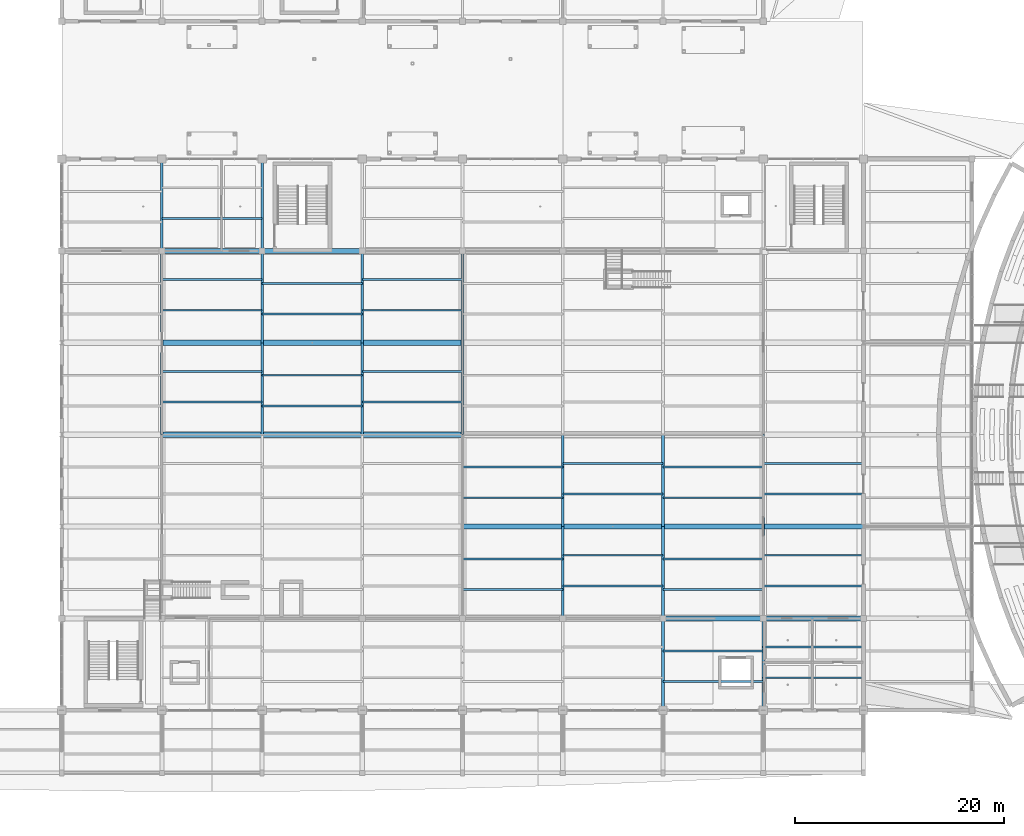
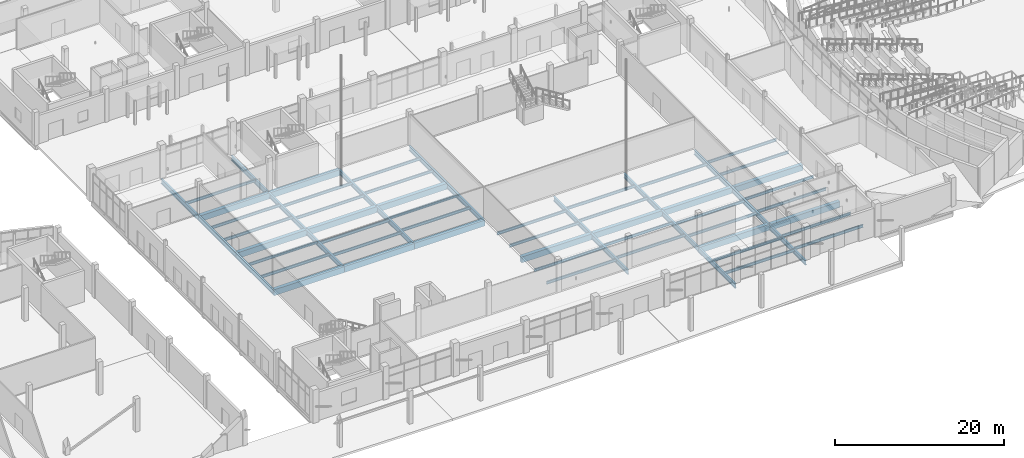
# One storey, part 46 of 116: 65 beams.
"""IFC4 building model written with IfcOpenShell, lengths in metres."""

from ifc_helpers import new_model, si_unit, direction, frame, origin, origin_2d, place, context, subcontext, project, spatial, rectangle, i_section, extrude, material, material_profile, profile_set, type_object, element, save


model = new_model("IFC4")

# Units and contexts
model_context = context("Model", 3, precision=1e-05, world=origin(), true_north=direction((0.0, 1.0)))
body_context = subcontext(model_context, "Body", "Model", "MODEL_VIEW")
ifc_project = project(units=[si_unit("LENGTHUNIT", "METRE"), si_unit("AREAUNIT", "SQUARE_METRE"), si_unit("VOLUMEUNIT", "CUBIC_METRE"), si_unit("PLANEANGLEUNIT", "RADIAN"), si_unit("MASSUNIT", "GRAM", prefix="KILO")], contexts=[model_context])

# Site, building, storey
site_placement = place(None, origin())
site = spatial("IfcSite", under=ifc_project, at=site_placement, CompositionType="ELEMENT")
building_placement = place(site_placement, origin())
building = spatial("IfcBuilding", under=site, at=building_placement, Name="Chalmorin Arch Market", CompositionType="ELEMENT")
storey_placement = place(building_placement, origin())
storey = spatial("IfcBuildingStorey", under=building, at=storey_placement, Name="L00", CompositionType="ELEMENT", Elevation=0.0)

# Beams
ifc_material_1 = material(Name="Concrete C40/50", Category="concrete")
ifc_material_profile_1 = material_profile(ifc_material_1, rectangle(XDim=0.5, YDim=0.85009765625, at=origin_2d()), Name="RC500X850")
ifc_profile_set_1 = profile_set([ifc_material_profile_1], Name="Concrete C40/50")
beam_type_1 = type_object("IfcBeamType", Name="PlinthConcreteGirder-500x850", PredefinedType="BEAM", material=ifc_profile_set_1)
for number, where, z_axis, x_axis, name in (
    (1, (57.60009765625, 32.39990234375, -0.70703125), (1.0, 0.0, 0.0), (0.0, 1.0, 0.0), "BG-RC1-0025"),
    (2, (57.60009765625, 41.199951171875, -0.70703125), (1.0, 0.0, 0.0), (0.0, 1.0, 0.0), "BG-RC1-0027"),
    (3, (57.60009765625, 50.0, -0.70703125), (1.0, 0.0, 0.0), (0.0, 1.0, 0.0), "BG-RC1-0029"),
):
    element("IfcBeam", number, at=place(storey_placement, frame(where, z_axis=z_axis, x_axis=x_axis)), inside=storey, type_object=beam_type_1, Name=name, PredefinedType="BEAM", context=body_context, shape_type="SweptSolid", body=[
        extrude(rectangle(XDim=0.5, YDim=0.85009765625, at=origin_2d()), origin(), (0.0, 0.0, 1.0), 9.599853515625),
    ])
for number, where, z_axis, x_axis, name in (
    (4, (67.199951171875, 32.39990234375, -0.70703125), (1.0, 0.0, 0.0), (0.0, 1.0, 0.0), "BG-RC1-0038"),
    (5, (67.199951171875, 41.199951171875, -0.70703125), (1.0, 0.0, 0.0), (0.0, 1.0, 0.0), "BG-RC1-0040"),
    (6, (67.199951171875, 50.0, -0.70703125), (1.0, 0.0, 0.0), (0.0, 1.0, 0.0), "BG-RC1-0042"),
):
    element("IfcBeam", number, at=place(storey_placement, frame(where, z_axis=z_axis, x_axis=x_axis)), inside=storey, type_object=beam_type_1, Name=name, PredefinedType="BEAM", context=body_context, shape_type="SweptSolid", body=[
        extrude(rectangle(XDim=0.5, YDim=0.85009765625, at=origin_2d()), origin(), (0.0, 0.0, 1.0), 9.60009765625),
    ])
for number, where, z_axis, x_axis, name in (
    (7, (76.800048828125, 32.39990234375, -0.70703125), (1.0, 0.0, 0.0), (0.0, 1.0, 0.0), "BG-RC1-0051"),
    (8, (76.800048828125, 41.199951171875, -0.70703125), (1.0, 0.0, 0.0), (0.0, 1.0, 0.0), "BG-RC1-0053"),
):
    element("IfcBeam", number, at=place(storey_placement, frame(where, z_axis=z_axis, x_axis=x_axis)), inside=storey, type_object=beam_type_1, Name=name, PredefinedType="BEAM", context=body_context, shape_type="SweptSolid", body=[
        extrude(rectangle(XDim=0.5, YDim=0.85009765625, at=origin_2d()), origin(), (0.0, 0.0, 1.0), 9.599853515625),
    ])
for number, where, z_axis, x_axis, name in (
    (9, (86.39990234375, 23.60009765625, -0.70703125), (1.0, 0.0, 0.0), (0.0, 1.0, 0.0), "BG-RC1-0062"),
    (10, (96.0, 23.60009765625, -0.70703125), (1.0, 0.0, 0.0), (0.0, 1.0, 0.0), "BG-RC1-0075"),
):
    element("IfcBeam", number, at=place(storey_placement, frame(where, z_axis=z_axis, x_axis=x_axis)), inside=storey, type_object=beam_type_1, Name=name, PredefinedType="BEAM", context=body_context, shape_type="SweptSolid", body=[
        extrude(rectangle(XDim=0.5, YDim=0.85009765625, at=origin_2d()), origin(), (0.0, 0.0, 1.0), 9.60009765625),
    ])
for number, where, z_axis, x_axis, name in (
    (11, (105.60009765625, 14.800048828125, -0.70703125), (1.0, 0.0, 0.0), (0.0, 1.0, 0.0), "BG-RC1-0086"),
    (12, (105.60009765625, 23.60009765625, -0.70703125), (1.0, 0.0, 0.0), (0.0, 1.0, 0.0), "BG-RC1-0088"),
):
    element("IfcBeam", number, at=place(storey_placement, frame(where, z_axis=z_axis, x_axis=x_axis)), inside=storey, type_object=beam_type_1, Name=name, PredefinedType="BEAM", context=body_context, shape_type="SweptSolid", body=[
        extrude(rectangle(XDim=0.5, YDim=0.85009765625, at=origin_2d()), origin(), (0.0, 0.0, 1.0), 9.599853515625),
    ])
for number, where, z_axis, x_axis, name in (
    (13, (115.199951171875, 14.800048828125, -0.777099609375), (1.0, 0.0, 0.0), (0.0, 1.0, 0.0), "BG-RC1-0099"),
    (14, (115.199951171875, 23.60009765625, -0.777099609375), (1.0, 0.0, 0.0), (0.0, 1.0, 0.0), "BG-RC1-0101"),
):
    element("IfcBeam", number, at=place(storey_placement, frame(where, z_axis=z_axis, x_axis=x_axis)), inside=storey, type_object=beam_type_1, Name=name, PredefinedType="BEAM", context=body_context, shape_type="SweptSolid", body=[
        extrude(rectangle(XDim=0.5, YDim=0.85009765625, at=origin_2d()), origin(), (0.0, 0.0, 1.0), 9.60009765625),
    ])
ifc_material_2 = material(Name="Steel A992 Grade 50", Category="steel")
ifc_material_profile_2 = material_profile(ifc_material_2, i_section(OverallWidth=0.25390625, OverallDepth=0.68408203125, WebThickness=0.012451171875, FlangeThickness=0.018798828125, FilletRadius=0.02587890625, at=origin_2d()), Name="W27X94")
ifc_profile_set_2 = profile_set([ifc_material_profile_2], Name="Steel A992 Grade 50")
beam_type_2 = type_object("IfcBeamType", Name="PrimarySteelGirder-W27X94", PredefinedType="BEAM", material=ifc_profile_set_2)
for number, where, z_axis, x_axis, name in (
    (15, (57.60009765625, 32.39990234375, -0.6240234375), (0.0, 1.0, 0.0), (-1.0, 0.0, 0.0), "BG-W27-0013"),
    (16, (57.60009765625, 41.199951171875, -0.6240234375), (0.0, 1.0, 0.0), (-1.0, 0.0, 0.0), "BG-W27-0016"),
    (17, (57.60009765625, 50.0, -0.64404296875), (0.0, 1.0, 0.0), (-1.0, 0.0, 0.0), "BG-W27-0019"),
    (18, (67.199951171875, 32.39990234375, -0.6240234375), (0.0, 1.0, 0.0), (-1.0, 0.0, 0.0), "BG-W27-0028"),
    (19, (67.199951171875, 41.199951171875, -0.6240234375), (0.0, 1.0, 0.0), (-1.0, 0.0, 0.0), "BG-W27-0030"),
    (20, (67.199951171875, 50.0, -0.64404296875), (0.0, 1.0, 0.0), (-1.0, 0.0, 0.0), "BG-W27-0032"),
    (21, (76.800048828125, 32.39990234375, -0.6240234375), (0.0, 1.0, 0.0), (-1.0, 0.0, 0.0), "BG-W27-0041"),
    (22, (76.800048828125, 41.199951171875, -0.6240234375), (0.0, 1.0, 0.0), (-1.0, 0.0, 0.0), "BG-W27-0043"),
    (23, (86.39990234375, 32.39990234375, -0.6240234375), (0.0, 1.0, 0.0), (-1.0, 0.0, 0.0), "BG-W27-0054"),
    (24, (86.39990234375, 41.199951171875, -0.6240234375), (0.0, 1.0, 0.0), (-1.0, 0.0, 0.0), "BG-W27-0056"),
    (25, (96.0, 14.800048828125, -0.6240234375), (0.0, 1.0, 0.0), (-1.0, 0.0, 0.0), "BG-W27-0063"),
):
    element("IfcBeam", number, at=place(storey_placement, frame(where, z_axis=z_axis, x_axis=x_axis)), inside=storey, type_object=beam_type_2, Name=name, PredefinedType="BEAM", context=body_context, shape_type="SweptSolid", body=[
        extrude(i_section(OverallWidth=0.25390625, OverallDepth=0.68408203125, WebThickness=0.012451171875, FlangeThickness=0.018798828125, FilletRadius=0.02587890625, at=origin_2d()), origin(), (0.0, 0.0, 1.0), 8.800048828125),
    ])
beam_1_placement = place(storey_placement, frame((96.0, 23.60009765625, -0.6240234375), z_axis=(0.0, 1.0, 0.0), x_axis=(-1.0, 0.0, 0.0)))
element("IfcBeam", 26, at=beam_1_placement, inside=storey, type_object=beam_type_2, Name="BG-W27-0065", PredefinedType="BEAM", context=body_context, shape_type="SweptSolid", body=[
    extrude(i_section(OverallWidth=0.25390625, OverallDepth=0.68408203125, WebThickness=0.012451171875, FlangeThickness=0.018798828125, FilletRadius=0.02587890625, at=origin_2d()), origin(), (0.0, 0.0, 1.0), 8.7998046875),
])
for number, where, z_axis, x_axis, name in (
    (27, (105.60009765625, 6.0, -0.64404296875), (0.0, 1.0, 0.0), (-1.0, 0.0, 0.0), "BG-W27-0074"),
    (28, (105.60009765625, 14.800048828125, -0.6240234375), (0.0, 1.0, 0.0), (-1.0, 0.0, 0.0), "BG-W27-0076"),
):
    element("IfcBeam", number, at=place(storey_placement, frame(where, z_axis=z_axis, x_axis=x_axis)), inside=storey, type_object=beam_type_2, Name=name, PredefinedType="BEAM", context=body_context, shape_type="SweptSolid", body=[
        extrude(i_section(OverallWidth=0.25390625, OverallDepth=0.68408203125, WebThickness=0.012451171875, FlangeThickness=0.018798828125, FilletRadius=0.02587890625, at=origin_2d()), origin(), (0.0, 0.0, 1.0), 8.800048828125),
    ])
beam_2_placement = place(storey_placement, frame((105.60009765625, 23.60009765625, -0.6240234375), z_axis=(0.0, 1.0, 0.0), x_axis=(-1.0, 0.0, 0.0)))
element("IfcBeam", 29, at=beam_2_placement, inside=storey, type_object=beam_type_2, Name="BG-W27-0078", PredefinedType="BEAM", context=body_context, shape_type="SweptSolid", body=[
    extrude(i_section(OverallWidth=0.25390625, OverallDepth=0.68408203125, WebThickness=0.012451171875, FlangeThickness=0.018798828125, FilletRadius=0.02587890625, at=origin_2d()), origin(), (0.0, 0.0, 1.0), 8.7998046875),
])
for number, where, z_axis, x_axis, name in (
    (30, (115.199951171875, 6.0, -0.64404296875), (0.0, 1.0, 0.0), (-1.0, 0.0, 0.0), "BG-W27-0087"),
    (31, (115.199951171875, 14.800048828125, -0.6240234375), (0.0, 1.0, 0.0), (-1.0, 0.0, 0.0), "BG-W27-0089"),
):
    element("IfcBeam", number, at=place(storey_placement, frame(where, z_axis=z_axis, x_axis=x_axis)), inside=storey, type_object=beam_type_2, Name=name, PredefinedType="BEAM", context=body_context, shape_type="SweptSolid", body=[
        extrude(i_section(OverallWidth=0.25390625, OverallDepth=0.68408203125, WebThickness=0.012451171875, FlangeThickness=0.018798828125, FilletRadius=0.02587890625, at=origin_2d()), origin(), (0.0, 0.0, 1.0), 8.800048828125),
    ])
beam_3_placement = place(storey_placement, frame((115.199951171875, 23.60009765625, -0.6240234375), z_axis=(0.0, 1.0, 0.0), x_axis=(-1.0, 0.0, 0.0)))
element("IfcBeam", 32, at=beam_3_placement, inside=storey, type_object=beam_type_2, Name="BG-W27-0091", PredefinedType="BEAM", context=body_context, shape_type="SweptSolid", body=[
    extrude(i_section(OverallWidth=0.25390625, OverallDepth=0.68408203125, WebThickness=0.012451171875, FlangeThickness=0.018798828125, FilletRadius=0.02587890625, at=origin_2d()), origin(), (0.0, 0.0, 1.0), 8.7998046875),
])
ifc_material_profile_3 = material_profile(ifc_material_2, i_section(OverallWidth=0.178955078125, OverallDepth=0.409912109375, WebThickness=0.0087890625, FlangeThickness=0.014404296875, FilletRadius=0.01806640625, at=origin_2d()), Name="W16X45")
ifc_profile_set_3 = profile_set([ifc_material_profile_3], Name="Steel A992 Grade 50")
beam_type_3 = type_object("IfcBeamType", Name="SecondaryFloorJoist-W16X45", PredefinedType="JOIST", material=ifc_profile_set_3)
for number, where, z_axis, x_axis, name in (
    (33, (57.60009765625, 35.51318359375, -0.487060546875), (1.0, 0.0, 0.0), (0.0, 1.0, 0.0), "BJ-W16A-0127"),
    (34, (57.60009765625, 38.44677734375, -0.487060546875), (1.0, 0.0, 0.0), (0.0, 1.0, 0.0), "BJ-W16A-0128"),
    (35, (57.60009765625, 44.313232421875, -0.487060546875), (1.0, 0.0, 0.0), (0.0, 1.0, 0.0), "BJ-W16A-0129"),
    (36, (57.60009765625, 47.24658203125, -0.487060546875), (1.0, 0.0, 0.0), (0.0, 1.0, 0.0), "BJ-W16A-0130"),
    (37, (57.60009765625, 53.11328125, -0.487060546875), (1.0, 0.0, 0.0), (0.0, 1.0, 0.0), "BJ-W16A-0131"),
):
    element("IfcBeam", number, at=place(storey_placement, frame(where, z_axis=z_axis, x_axis=x_axis)), inside=storey, type_object=beam_type_3, Name=name, PredefinedType="JOIST", context=body_context, shape_type="SweptSolid", body=[
        extrude(i_section(OverallWidth=0.178955078125, OverallDepth=0.409912109375, WebThickness=0.0087890625, FlangeThickness=0.014404296875, FilletRadius=0.01806640625, at=origin_2d()), origin(), (0.0, 0.0, 1.0), 9.599853515625),
    ])
for number, where, z_axis, x_axis, name in (
    (38, (67.199951171875, 35.1533203125, -0.487060546875), (1.0, 0.0, 0.0), (0.0, 1.0, 0.0), "BJ-W16A-0139"),
    (39, (67.199951171875, 38.086669921875, -0.487060546875), (1.0, 0.0, 0.0), (0.0, 1.0, 0.0), "BJ-W16A-0140"),
    (40, (67.199951171875, 43.953369140625, -0.487060546875), (1.0, 0.0, 0.0), (0.0, 1.0, 0.0), "BJ-W16A-0141"),
    (41, (67.199951171875, 46.88671875, -0.487060546875), (1.0, 0.0, 0.0), (0.0, 1.0, 0.0), "BJ-W16A-0142"),
):
    element("IfcBeam", number, at=place(storey_placement, frame(where, z_axis=z_axis, x_axis=x_axis)), inside=storey, type_object=beam_type_3, Name=name, PredefinedType="JOIST", context=body_context, shape_type="SweptSolid", body=[
        extrude(i_section(OverallWidth=0.178955078125, OverallDepth=0.409912109375, WebThickness=0.0087890625, FlangeThickness=0.014404296875, FilletRadius=0.01806640625, at=origin_2d()), origin(), (0.0, 0.0, 1.0), 9.60009765625),
    ])
for number, where, z_axis, x_axis, name in (
    (42, (76.800048828125, 35.51318359375, -0.487060546875), (1.0, 0.0, 0.0), (0.0, 1.0, 0.0), "BJ-W16A-0149"),
    (43, (76.800048828125, 38.44677734375, -0.487060546875), (1.0, 0.0, 0.0), (0.0, 1.0, 0.0), "BJ-W16A-0150"),
    (44, (76.800048828125, 44.313232421875, -0.487060546875), (1.0, 0.0, 0.0), (0.0, 1.0, 0.0), "BJ-W16A-0151"),
    (45, (76.800048828125, 47.24658203125, -0.487060546875), (1.0, 0.0, 0.0), (0.0, 1.0, 0.0), "BJ-W16A-0152"),
):
    element("IfcBeam", number, at=place(storey_placement, frame(where, z_axis=z_axis, x_axis=x_axis)), inside=storey, type_object=beam_type_3, Name=name, PredefinedType="JOIST", context=body_context, shape_type="SweptSolid", body=[
        extrude(i_section(OverallWidth=0.178955078125, OverallDepth=0.409912109375, WebThickness=0.0087890625, FlangeThickness=0.014404296875, FilletRadius=0.01806640625, at=origin_2d()), origin(), (0.0, 0.0, 1.0), 9.599853515625),
    ])
for number, where, z_axis, x_axis, name in (
    (46, (86.39990234375, 17.55322265625, -0.487060546875), (1.0, 0.0, 0.0), (0.0, 1.0, 0.0), "BJ-W16A-0157"),
    (47, (86.39990234375, 20.48681640625, -0.487060546875), (1.0, 0.0, 0.0), (0.0, 1.0, 0.0), "BJ-W16A-0158"),
    (48, (86.39990234375, 26.353271484375, -0.487060546875), (1.0, 0.0, 0.0), (0.0, 1.0, 0.0), "BJ-W16A-0159"),
    (49, (86.39990234375, 29.28662109375, -0.487060546875), (1.0, 0.0, 0.0), (0.0, 1.0, 0.0), "BJ-W16A-0160"),
    (50, (96.0, 17.913330078125, -0.487060546875), (1.0, 0.0, 0.0), (0.0, 1.0, 0.0), "BJ-W16A-0169"),
    (51, (96.0, 20.8466796875, -0.487060546875), (1.0, 0.0, 0.0), (0.0, 1.0, 0.0), "BJ-W16A-0170"),
    (52, (96.0, 26.71337890625, -0.487060546875), (1.0, 0.0, 0.0), (0.0, 1.0, 0.0), "BJ-W16A-0171"),
    (53, (96.0, 29.646728515625, -0.487060546875), (1.0, 0.0, 0.0), (0.0, 1.0, 0.0), "BJ-W16A-0172"),
):
    element("IfcBeam", number, at=place(storey_placement, frame(where, z_axis=z_axis, x_axis=x_axis)), inside=storey, type_object=beam_type_3, Name=name, PredefinedType="JOIST", context=body_context, shape_type="SweptSolid", body=[
        extrude(i_section(OverallWidth=0.178955078125, OverallDepth=0.409912109375, WebThickness=0.0087890625, FlangeThickness=0.014404296875, FilletRadius=0.01806640625, at=origin_2d()), origin(), (0.0, 0.0, 1.0), 9.60009765625),
    ])
for number, where, z_axis, x_axis, name in (
    (54, (105.60009765625, 8.75341796875, -0.487060546875), (1.0, 0.0, 0.0), (0.0, 1.0, 0.0), "BJ-W16A-0179"),
    (55, (105.60009765625, 11.686767578125, -0.487060546875), (1.0, 0.0, 0.0), (0.0, 1.0, 0.0), "BJ-W16A-0180"),
    (56, (105.60009765625, 17.55322265625, -0.487060546875), (1.0, 0.0, 0.0), (0.0, 1.0, 0.0), "BJ-W16A-0181"),
    (57, (105.60009765625, 20.48681640625, -0.487060546875), (1.0, 0.0, 0.0), (0.0, 1.0, 0.0), "BJ-W16A-0182"),
    (58, (105.60009765625, 26.353271484375, -0.487060546875), (1.0, 0.0, 0.0), (0.0, 1.0, 0.0), "BJ-W16A-0183"),
    (59, (105.60009765625, 29.28662109375, -0.487060546875), (1.0, 0.0, 0.0), (0.0, 1.0, 0.0), "BJ-W16A-0184"),
):
    element("IfcBeam", number, at=place(storey_placement, frame(where, z_axis=z_axis, x_axis=x_axis)), inside=storey, type_object=beam_type_3, Name=name, PredefinedType="JOIST", context=body_context, shape_type="SweptSolid", body=[
        extrude(i_section(OverallWidth=0.178955078125, OverallDepth=0.409912109375, WebThickness=0.0087890625, FlangeThickness=0.014404296875, FilletRadius=0.01806640625, at=origin_2d()), origin(), (0.0, 0.0, 1.0), 9.599853515625),
    ])
for number, where, z_axis, x_axis, name in (
    (60, (115.199951171875, 9.11328125, -0.556884765625), (1.0, 0.0, 0.0), (0.0, 1.0, 0.0), "BJ-W16A-0191"),
    (61, (115.199951171875, 12.046630859375, -0.556884765625), (1.0, 0.0, 0.0), (0.0, 1.0, 0.0), "BJ-W16A-0192"),
    (62, (115.199951171875, 17.913330078125, -0.556884765625), (1.0, 0.0, 0.0), (0.0, 1.0, 0.0), "BJ-W16A-0193"),
    (63, (115.199951171875, 20.8466796875, -0.556884765625), (1.0, 0.0, 0.0), (0.0, 1.0, 0.0), "BJ-W16A-0194"),
    (64, (115.199951171875, 26.71337890625, -0.556884765625), (1.0, 0.0, 0.0), (0.0, 1.0, 0.0), "BJ-W16A-0195"),
    (65, (115.199951171875, 29.646728515625, -0.556884765625), (1.0, 0.0, 0.0), (0.0, 1.0, 0.0), "BJ-W16A-0196"),
):
    element("IfcBeam", number, at=place(storey_placement, frame(where, z_axis=z_axis, x_axis=x_axis)), inside=storey, type_object=beam_type_3, Name=name, PredefinedType="JOIST", context=body_context, shape_type="SweptSolid", body=[
        extrude(i_section(OverallWidth=0.178955078125, OverallDepth=0.409912109375, WebThickness=0.0087890625, FlangeThickness=0.014404296875, FilletRadius=0.01806640625, at=origin_2d()), origin(), (0.0, 0.0, 1.0), 9.60009765625),
    ])

save(model, "model.ifc")
